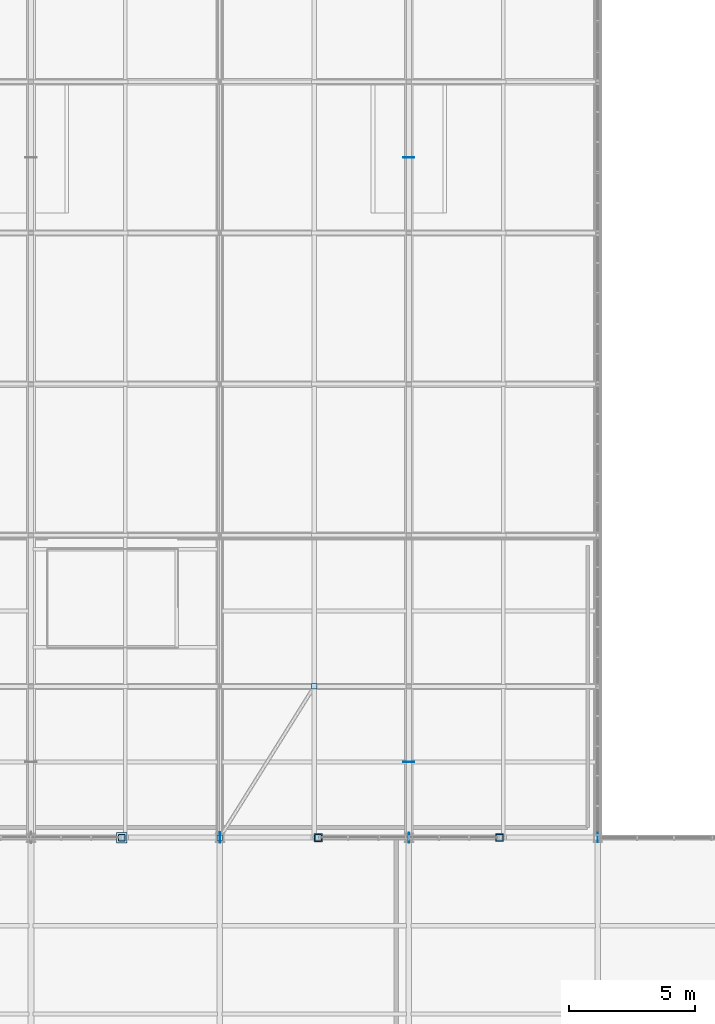
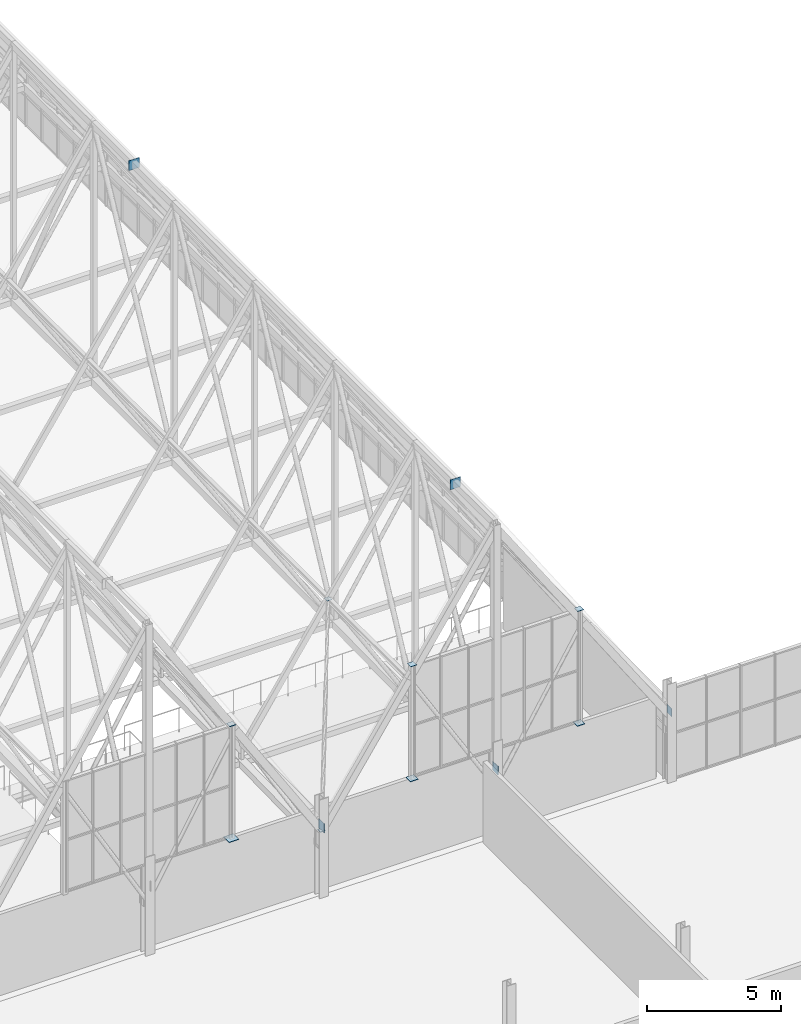
# One storey, part 303 of 324: 13 plates.
"""IFC4 building model written with IfcOpenShell, lengths in metres."""

from ifc_helpers import new_model, si_unit, direction, frame, origin, origin_2d, place, context, subcontext, project, spatial, rectangle, extrude, material, layer, layer_set, type_object, element, save


model = new_model("IFC4")

# Units and contexts
model_context = context("Model", 3, precision=1e-05, world=origin(), true_north=direction((0.0, 1.0)))
body_context = subcontext(model_context, "Body", "Model", "MODEL_VIEW")
ifc_project = project(units=[si_unit("LENGTHUNIT", "METRE"), si_unit("AREAUNIT", "SQUARE_METRE"), si_unit("VOLUMEUNIT", "CUBIC_METRE"), si_unit("PLANEANGLEUNIT", "RADIAN"), si_unit("MASSUNIT", "GRAM", prefix="KILO")], contexts=[model_context])

# Site, building, storey
site_placement = place(None, origin())
site = spatial("IfcSite", under=ifc_project, at=site_placement, CompositionType="ELEMENT")
building_placement = place(site_placement, origin())
building = spatial("IfcBuilding", under=site, at=building_placement, Name="Solvenia Promenade Tram Depot", CompositionType="ELEMENT")
storey_placement = place(building_placement, frame((0.0, 0.0, 4.5)))
storey = spatial("IfcBuildingStorey", under=building, at=storey_placement, Name="L01", CompositionType="ELEMENT", Elevation=4.5)

# Plates
ifc_material = material(Name="Structural steel ASTM A572 Gr. 50", Category="steel")
ifc_layer_1 = layer(ifc_material, 0.02392578125, Name="Structural steel ASTM A572 Gr. 50", Category="steel")
ifc_layer_set_1 = layer_set([ifc_layer_1], Name="Structural steel ASTM A572 Gr. 50")
plate_type_1 = type_object("IfcPlateType", Name="EndCap-CP1", PredefinedType="SHEET", material=ifc_layer_set_1)
plate_1_placement = place(storey_placement, frame((131.10009765625, 66.0, 3.93798828125), z_axis=(0.0, 0.0, 1.0), x_axis=(1.0, 0.0, 0.0)))
element("IfcPlate", 1, at=plate_1_placement, inside=storey, type_object=plate_type_1, Name="Gable Jamb Bottom Cap Plate 036", PredefinedType="SHEET", context=body_context, shape_type="SweptSolid", body=[
    extrude(rectangle(XDim=0.419921875, YDim=0.419921875, at=origin_2d()), origin(), (0.0, 0.0, 1.0), 0.02392578125),
])
ifc_layer_2 = layer(ifc_material, 0.02001953125, Name="Structural steel ASTM A572 Gr. 50", Category="steel")
ifc_layer_set_2 = layer_set([ifc_layer_2], Name="Structural steel ASTM A572 Gr. 50")
plate_type_2 = type_object("IfcPlateType", Name="EndCap-CP4", PredefinedType="SHEET", material=ifc_layer_set_2)
plate_2_placement = place(storey_placement, frame((131.10009765625, 66.0, 9.141845703125), z_axis=(0.0, 0.0, 1.0), x_axis=(1.0, 0.0, 0.0)))
element("IfcPlate", 2, at=plate_2_placement, inside=storey, type_object=plate_type_2, Name="Gable Jamb Top Cap Plate 036", PredefinedType="SHEET", context=body_context, shape_type="SweptSolid", body=[
    extrude(rectangle(XDim=0.260009765625, YDim=0.260009765625, at=origin_2d()), origin(), (0.0, 0.0, 1.0), 0.01611328125),
])
plate_3_placement = place(storey_placement, frame((138.89990234375, 66.0, 3.93994140625), z_axis=(0.0, 0.0, 1.0), x_axis=(1.0, 0.0, 0.0)))
element("IfcPlate", 3, at=plate_3_placement, inside=storey, type_object=plate_type_2, Name="Gable Jamb Bottom Cap Plate 039", PredefinedType="SHEET", context=body_context, shape_type="SweptSolid", body=[
    extrude(rectangle(XDim=0.340087890625, YDim=0.340087890625, at=origin_2d()), origin(), (0.0, 0.0, 1.0), 0.02001953125),
])
for number, where, z_axis, x_axis, name in (
    (4, (138.89990234375, 66.0, 9.141845703125), (0.0, 0.0, 1.0), (1.0, 0.0, 0.0), "Gable Jamb Top Cap Plate 039"),
    (5, (146.10009765625, 66.0, 9.141845703125), (0.0, 0.0, 1.0), (1.0, 0.0, 0.0), "Gable Jamb Top Cap Plate 040"),
):
    element("IfcPlate", number, at=place(storey_placement, frame(where, z_axis=z_axis, x_axis=x_axis)), inside=storey, type_object=plate_type_2, Name=name, PredefinedType="SHEET", context=body_context, shape_type="SweptSolid", body=[
        extrude(rectangle(XDim=0.260009765625, YDim=0.260009765625, at=origin_2d()), origin(), (0.0, 0.0, 1.0), 0.01611328125),
    ])
ifc_layer_3 = layer(ifc_material, 0.01904296875, Name="Structural steel ASTM A572 Gr. 50", Category="steel")
ifc_layer_set_3 = layer_set([ifc_layer_3], Name="Structural steel ASTM A572 Gr. 50")
plate_type_3 = type_object("IfcPlateType", Name="EndCap-CP5", PredefinedType="SHEET", material=ifc_layer_set_3)
for number, where, z_axis, x_axis, name in (
    (6, (135.0, 66.0, 2.947509765625), (0.0, 0.0, 1.0), (1.0, 0.0, 0.0), "Roof Brace Node Plate 019A"),
    (7, (138.75, 72.0, 8.534912109375), (0.0, 0.0, 1.0), (1.0, 0.0, 0.0), "Roof Brace Node Plate 019B"),
):
    element("IfcPlate", number, at=place(storey_placement, frame(where, z_axis=z_axis, x_axis=x_axis)), inside=storey, type_object=plate_type_3, Name=name, PredefinedType="SHEET", context=body_context, shape_type="SweptSolid", body=[
        extrude(rectangle(XDim=0.219970703125, YDim=0.219970703125, at=origin_2d()), origin(), (0.0, 0.0, 1.0), 0.01904296875),
    ])
plate_4_placement = place(storey_placement, frame((146.10009765625, 66.0, 3.9404296875), z_axis=(0.0, 0.0, 1.0), x_axis=(1.0, 0.0, 0.0)))
element("IfcPlate", 8, at=plate_4_placement, inside=storey, type_object=plate_type_3, Name="Gable Jamb Bottom Cap Plate 040", PredefinedType="SHEET", context=body_context, shape_type="SweptSolid", body=[
    extrude(rectangle(XDim=0.320068359375, YDim=0.320068359375, at=origin_2d()), origin(), (0.0, 0.0, 1.0), 0.01904296875),
])
ifc_layer_4 = layer(ifc_material, 0.01708984375, Name="Structural steel ASTM A572 Gr. 50", Category="steel")
ifc_layer_set_4 = layer_set([ifc_layer_4], Name="Structural steel ASTM A572 Gr. 50")
plate_type_4 = type_object("IfcPlateType", Name="Gusset-GP10", PredefinedType="USERDEFINED", material=ifc_layer_set_4)
plate_5_placement = place(storey_placement, frame((150.0, 66.0, 2.96484375), z_axis=(0.0, 0.0, 1.0), x_axis=(1.0, 0.0, 0.0)))
element("IfcPlate", 9, at=plate_5_placement, inside=storey, type_object=plate_type_4, Name="Arched Truss Shoe Gusset 21S", ObjectType="GUSSET PLATE", PredefinedType="USERDEFINED", context=body_context, shape_type="SweptSolid", body=[
    extrude(rectangle(XDim=0.01708984375, YDim=0.3701171875, at=origin_2d()), origin(), (0.0, 0.0, 1.0), 0.3701171875),
])
ifc_layer_5 = layer(ifc_material, 0.02392578125, Name="Structural steel ASTM A572 Gr. 50", Category="steel")
ifc_layer_set_5 = layer_set([ifc_layer_5], Name="Structural steel ASTM A572 Gr. 50")
plate_type_5 = type_object("IfcPlateType", Name="Gusset-GP4", PredefinedType="USERDEFINED", material=ifc_layer_set_5)
for number, where, z_axis, x_axis, name in (
    (10, (142.5, 69.0, 14.10009765625), (0.0, 0.0, 1.0), (1.0, 0.0, 0.0), "Ridge Node Gusset T20-S01"),
    (11, (142.5, 93.0, 14.10009765625), (0.0, 0.0, 1.0), (1.0, 0.0, 0.0), "Ridge Node Gusset T20-S05"),
):
    element("IfcPlate", number, at=place(storey_placement, frame(where, z_axis=z_axis, x_axis=x_axis)), inside=storey, type_object=plate_type_5, Name=name, ObjectType="GUSSET PLATE", PredefinedType="USERDEFINED", context=body_context, shape_type="SweptSolid", body=[
        extrude(rectangle(XDim=0.449951171875, YDim=0.02001953125, at=origin_2d()), origin(), (0.0, 0.0, 1.0), 0.449951171875),
    ])
ifc_layer_6 = layer(ifc_material, 0.01904296875, Name="Structural steel ASTM A572 Gr. 50", Category="steel")
ifc_layer_set_6 = layer_set([ifc_layer_6], Name="Structural steel ASTM A572 Gr. 50")
plate_type_6 = type_object("IfcPlateType", Name="Gusset-GP8", PredefinedType="USERDEFINED", material=ifc_layer_set_6)
plate_6_placement = place(storey_placement, frame((135.0, 66.0, 2.93994140625), z_axis=(0.0, 0.0, 1.0), x_axis=(1.0, 0.0, 0.0)))
element("IfcPlate", 12, at=plate_6_placement, inside=storey, type_object=plate_type_6, Name="Arched Truss Shoe Gusset 19S", ObjectType="GUSSET PLATE", PredefinedType="USERDEFINED", context=body_context, shape_type="SweptSolid", body=[
    extrude(rectangle(XDim=0.01904296875, YDim=0.419921875, at=origin_2d()), origin(), (0.0, 0.0, 1.0), 0.419921875),
])
ifc_layer_7 = layer(ifc_material, 0.01806640625, Name="Structural steel ASTM A572 Gr. 50", Category="steel")
ifc_layer_set_7 = layer_set([ifc_layer_7], Name="Structural steel ASTM A572 Gr. 50")
plate_type_7 = type_object("IfcPlateType", Name="Gusset-GP9", PredefinedType="USERDEFINED", material=ifc_layer_set_7)
plate_7_placement = place(storey_placement, frame((142.5, 66.0, 2.949951171875), z_axis=(0.0, 0.0, 1.0), x_axis=(1.0, 0.0, 0.0)))
element("IfcPlate", 13, at=plate_7_placement, inside=storey, type_object=plate_type_7, Name="Arched Truss Shoe Gusset 20S", ObjectType="GUSSET PLATE", PredefinedType="USERDEFINED", context=body_context, shape_type="SweptSolid", body=[
    extrude(rectangle(XDim=0.01806640625, YDim=0.39990234375, at=origin_2d()), origin(), (0.0, 0.0, 1.0), 0.39990234375),
])

save(model, "model.ifc")
